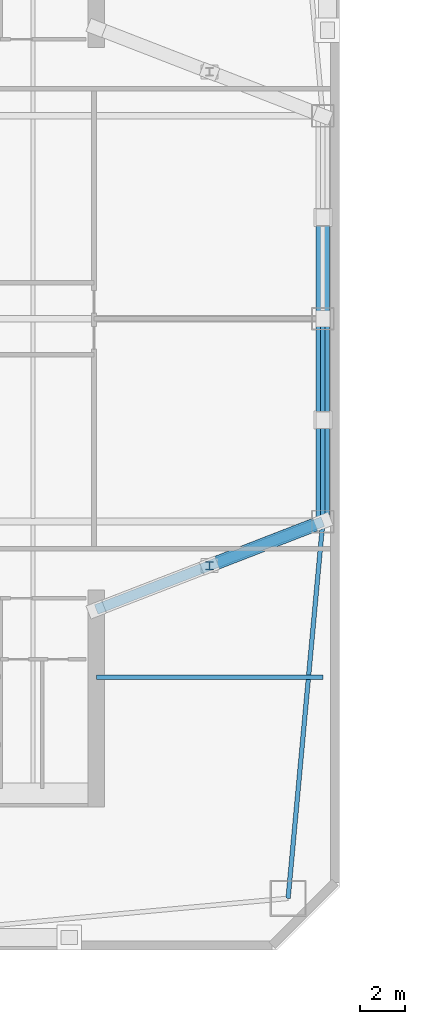
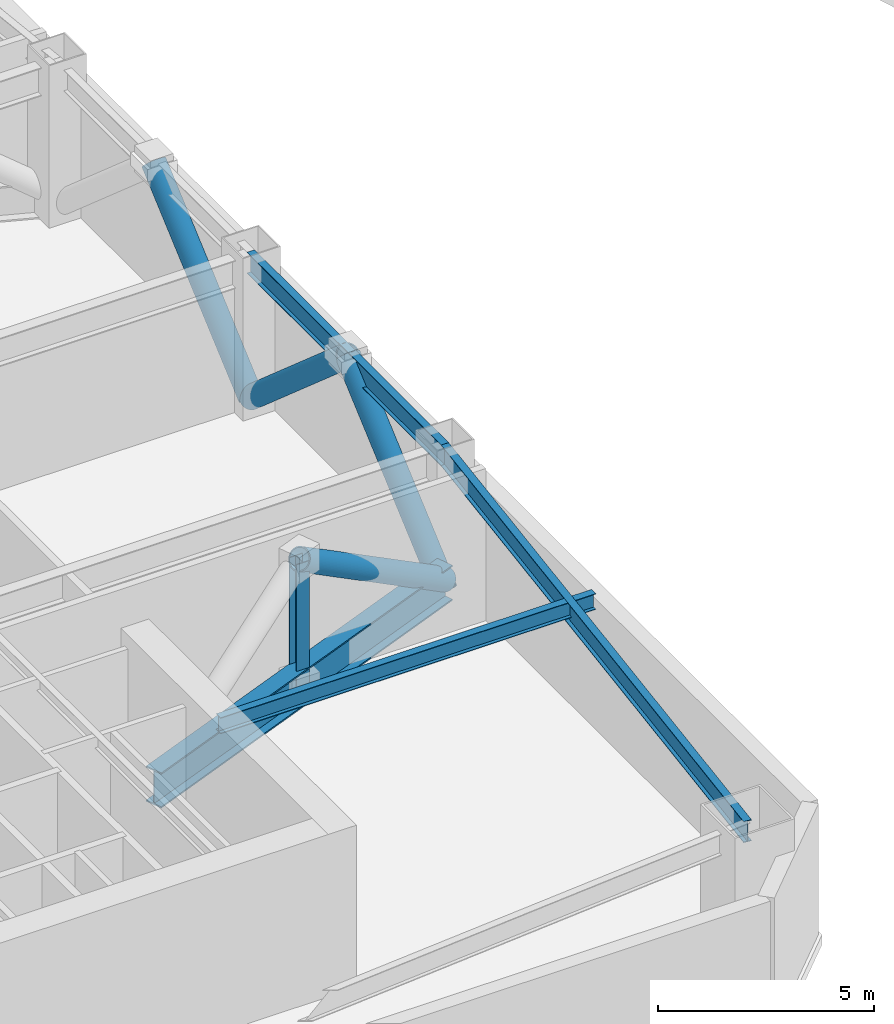
# One storey, part 3 of 19: 5 members, 4 beams.
"""IFC4 building model written with IfcOpenShell, lengths in metres."""

import ifcopenshell
import ifcopenshell.guid

model = None  # the IFC model being written
_history = None  # IfcOwnerHistory: only IFC2X3 demands one
_inside = {}  # id of a spatial element -> (the spatial element, [elements in it])
_under = {}  # id of a project, library or spatial element -> (it, [spatial elements below it])
_declared = {}  # id of a project -> (the project, [libraries it declares])
_typed = {}  # id of a type object -> (the type object, [elements of that type])
_made_of = {}  # id of a material, layer set ... -> (it, [elements and type objects made of it])


def new_model(schema):
    """Start an empty IFC model of exactly this schema.

    Asked for "IFC4X3", IfcOpenShell would pick the latest addendum, in which some entities
    have other attributes; the version numbers below select the first issue.
    IFC2X3 requires an IfcOwnerHistory on every rooted entity: one is made here for all.
    """
    global model, _history
    if schema == "IFC4X3":
        model = ifcopenshell.file(schema_version=(4, 3, 0, 0))
    else:
        model = ifcopenshell.file(schema=schema)
    _inside.clear()
    _under.clear()
    _declared.clear()
    _typed.clear()
    _made_of.clear()
    _history = None
    if model.schema == "IFC2X3":
        org = make("IfcOrganization", Name="unknown")
        user = make(
            "IfcPersonAndOrganization",
            ThePerson=make("IfcPerson", FamilyName="unknown"),
            TheOrganization=org,
        )
        app = make(
            "IfcApplication",
            ApplicationDeveloper=org,
            Version="unknown",
            ApplicationFullName="unknown",
            ApplicationIdentifier="unknown",
        )
        _history = make(
            "IfcOwnerHistory",
            OwningUser=user,
            OwningApplication=app,
            ChangeAction="ADDED",
            CreationDate=0,
        )
    return model


def make(cls, **values):
    """One entity of the class cls with the attributes given. An attribute that is None is left unset."""
    return model.create_entity(
        cls, **{name: value for name, value in values.items() if value is not None}
    )


def rooted(cls, **values):
    """An entity with a GlobalId (a new one), such as an element, a storey or a relation."""
    return make(cls, GlobalId=ifcopenshell.guid.new(), OwnerHistory=_history, **values)


def si_unit(unit_type, name, prefix=None):
    """IfcSIUnit, for example si_unit("LENGTHUNIT", "METRE", prefix="MILLI")."""
    return make("IfcSIUnit", UnitType=unit_type, Prefix=prefix, Name=name)


def assignment(units):
    """IfcUnitAssignment: the units of a project."""
    return None if units is None else make("IfcUnitAssignment", Units=units)


def point(xyz):
    """IfcCartesianPoint."""
    return None if xyz is None else make("IfcCartesianPoint", Coordinates=xyz)


def direction(xyz):
    """IfcDirection."""
    return None if xyz is None else make("IfcDirection", DirectionRatios=xyz)


def frame(location, z_axis=None, x_axis=None):
    """IfcAxis2Placement3D, a coordinate frame: its origin and axes. An axis left out is left unset."""
    return make(
        "IfcAxis2Placement3D",
        Location=point(location),
        Axis=direction(z_axis),
        RefDirection=direction(x_axis),
    )


def frame_2d(location, x_axis=None):
    """IfcAxis2Placement2D, a coordinate frame in the plane: its origin and x axis."""
    return make(
        "IfcAxis2Placement2D", Location=point(location), RefDirection=direction(x_axis)
    )


def origin():
    """The frame at (0, 0, 0) with its axes left unset."""
    return frame((0.0, 0.0, 0.0))


def origin_2d():
    """The frame at (0, 0) in the plane with its x axis left unset."""
    return frame_2d((0.0, 0.0))


def place(relative_to, where):
    """IfcLocalPlacement: puts the frame where relative to a parent placement (None: the world)."""
    return make(
        "IfcLocalPlacement", PlacementRelTo=relative_to, RelativePlacement=where
    )


def context(
    kind, dimensions, precision=None, world=None, true_north=None, identifier=None
):
    """IfcGeometricRepresentationContext, for example the 3D "Model" context."""
    return make(
        "IfcGeometricRepresentationContext",
        ContextIdentifier=identifier,
        ContextType=kind,
        CoordinateSpaceDimension=dimensions,
        Precision=precision,
        WorldCoordinateSystem=world,
        TrueNorth=true_north,
    )


def subcontext(parent, identifier, kind, view, scale=None):
    """IfcGeometricRepresentationSubContext, for example "Body" below "Model"."""
    return make(
        "IfcGeometricRepresentationSubContext",
        ContextIdentifier=identifier,
        ContextType=kind,
        ParentContext=parent,
        TargetScale=scale,
        TargetView=view,
    )


def project(units=None, contexts=None):
    """IfcProject with its units and contexts."""
    return rooted(
        "IfcProject",
        Name="project",
        RepresentationContexts=contexts,
        UnitsInContext=assignment(units),
    )


def spatial(cls, under=None, at=None, **own):
    """A site, building, storey or space (cls), placed at a placement, below another one or the project."""
    s = rooted(cls, ObjectPlacement=at, **own)
    if under is not None:
        _under.setdefault(under.id(), (under, []))[1].append(s)
    return s


def profile(cls, at=None, kind="AREA", **sizes):
    """A parametric profile (cls). Its sizes go by their IFC names, for example OverallWidth=200.0."""
    return make(cls, ProfileType=kind, Position=at, **sizes)


def hollow_circle(**sizes):
    """IfcCircleHollowProfileDef."""
    return profile("IfcCircleHollowProfileDef", **sizes)


def i_section(**sizes):
    """IfcIShapeProfileDef."""
    return profile("IfcIShapeProfileDef", **sizes)


def extrude(swept, where, along, depth):
    """IfcExtrudedAreaSolid: the profile swept, set in the frame where, extruded along a direction by depth."""
    return make(
        "IfcExtrudedAreaSolid",
        SweptArea=swept,
        Position=where,
        ExtrudedDirection=direction(along),
        Depth=depth,
    )


def shape(context_of_items, identifier, shape_type, items):
    """IfcShapeRepresentation: the items that make up one representation, for example the "Body"."""
    return make(
        "IfcShapeRepresentation",
        ContextOfItems=context_of_items,
        RepresentationIdentifier=identifier,
        RepresentationType=shape_type,
        Items=items,
    )


def material(Name=None, Category=None):
    """IfcMaterial."""
    return make("IfcMaterial", Name=Name, Category=Category)


def material_profile(
    of_material, cross_section, Name=None, Category=None, Priority=None
):
    """IfcMaterialProfile: a cross section and its material."""
    return make(
        "IfcMaterialProfile",
        Name=Name,
        Material=of_material,
        Profile=cross_section,
        Priority=Priority,
        Category=Category,
    )


def profile_set(profiles, Name=None, composite=None):
    """IfcMaterialProfileSet."""
    return make(
        "IfcMaterialProfileSet",
        Name=Name,
        MaterialProfiles=profiles,
        CompositeProfile=composite,
    )


def made_of(thing, what):
    """Note that an element or type object is made of a material, layer set ...; save() writes the relation."""
    if what is not None:
        _made_of.setdefault(what.id(), (what, []))[1].append(thing)
    return thing


def type_object(cls, material=None, **own):
    """A type object (cls), such as IfcWallType, which elements share."""
    return made_of(rooted(cls, **own), material)


def element(
    cls,
    number,
    at=None,
    inside=None,
    cuts=None,
    type_object=None,
    material=None,
    context=None,
    identifier="Body",
    shape_type=None,
    held_by="IfcProductDefinitionShape",
    body=None,
    shapes=None,
    **own,
):
    """One element of the class cls, such as IfcWall. Its Tag is "e" and its number.

    at: its placement. inside: the storey or other place that contains it. cuts: it is an
    opening in that element (IfcRelVoidsElement). A single representation is given by context,
    identifier, shape_type and body (its items); several are given by shapes. held_by: the class
    of the entity that holds the representations. save() writes the other relations.
    """
    e = rooted(cls, Tag="e%d" % number, ObjectPlacement=at, **own)
    if body is not None:
        shapes = [shape(context, identifier, shape_type, body)]
    if shapes is not None:
        e.Representation = make(held_by, Representations=shapes)
    if inside is not None:
        _inside.setdefault(inside.id(), (inside, []))[1].append(e)
    if cuts is not None:
        rooted(
            "IfcRelVoidsElement", RelatingBuildingElement=cuts, RelatedOpeningElement=e
        )
    if type_object is not None:
        _typed.setdefault(type_object.id(), (type_object, []))[1].append(e)
    return made_of(e, material)


def aggregate(whole, parts):
    """IfcRelAggregates: a whole, such as a stair, and the parts it consists of."""
    return rooted("IfcRelAggregates", RelatingObject=whole, RelatedObjects=parts)


def save(model, path):
    """Write the relations noted so far, then the file.

    IfcRelAggregates (storeys below a building ...), IfcRelContainedInSpatialStructure (elements
    in a storey), IfcRelDefinesByType, IfcRelAssociatesMaterial and IfcRelDeclares: one each for
    every whole, place, type object, material and project.
    """
    for whole, parts in _under.values():
        aggregate(whole, parts)
    for where, things in _inside.values():
        rooted(
            "IfcRelContainedInSpatialStructure",
            RelatedElements=things,
            RelatingStructure=where,
        )
    for kind, things in _typed.values():
        rooted("IfcRelDefinesByType", RelatedObjects=things, RelatingType=kind)
    for what, things in _made_of.values():
        rooted("IfcRelAssociatesMaterial", RelatedObjects=things, RelatingMaterial=what)
    for by, libraries in _declared.values():
        rooted("IfcRelDeclares", RelatingContext=by, RelatedDefinitions=libraries)
    model.write(path)


model = new_model("IFC4")

# Units and contexts
model_context = context("Model", 3, precision=1e-05, world=origin(), true_north=direction((0.0, 1.0)))
body_context = subcontext(model_context, "Body", "Model", "MODEL_VIEW")
ifc_project = project(units=[si_unit("LENGTHUNIT", "METRE"), si_unit("AREAUNIT", "SQUARE_METRE"), si_unit("VOLUMEUNIT", "CUBIC_METRE"), si_unit("PLANEANGLEUNIT", "RADIAN"), si_unit("MASSUNIT", "GRAM", prefix="KILO")], contexts=[model_context])

# Site, building, storey
site_placement = place(None, origin())
site = spatial("IfcSite", under=ifc_project, at=site_placement, CompositionType="ELEMENT")
building_placement = place(site_placement, origin())
building = spatial("IfcBuilding", under=site, at=building_placement, Name="Qiaolan Cultural Towers", CompositionType="ELEMENT")
storey_placement = place(building_placement, frame((0.0, 0.0, 92.0)))
storey = spatial("IfcBuildingStorey", under=building, at=storey_placement, Name="L23", CompositionType="ELEMENT", Elevation=92.0)

# Beams
ifc_material_1 = material(Name="Steel Q390GJB", Category="steel")
ifc_material_profile_1 = material_profile(ifc_material_1, i_section(OverallWidth=0.449951171875, OverallDepth=1.0, WebThickness=0.02392578125, FlangeThickness=0.0400390625, at=origin_2d()), Name="BH1000x450x24x40")
ifc_profile_set_1 = profile_set([ifc_material_profile_1], Name="Steel Q390GJB")
beam_type_1 = type_object("IfcBeamType", Name="BM-BH1000x450x24x40", PredefinedType="BEAM", material=ifc_profile_set_1)
beam_1_placement = place(storey_placement, frame((38.199951171875, 21.10009765625, 0.5), z_axis=(0.932269206067, 0.361765293276, 0.0), x_axis=(-0.361765293276, 0.932269206067, 0.0)))
element("IfcBeam", 1, at=beam_1_placement, inside=storey, type_object=beam_type_1, Name="L23 T1 Outrigger Bottom Chord Girder ES", PredefinedType="BEAM", context=body_context, shape_type="SweptSolid", body=[
    extrude(i_section(OverallWidth=0.449951171875, OverallDepth=1.0, WebThickness=0.02392578125, FlangeThickness=0.0400390625, at=origin_2d()), origin(), (0.0, 0.0, 1.0), 10.7802734375),
])
ifc_material_2 = material(Name="Steel Q355B", Category="steel")
ifc_material_profile_2 = material_profile(ifc_material_2, i_section(OverallWidth=0.199951171875, OverallDepth=0.449951171875, WebThickness=0.009033203125, FlangeThickness=0.013916015625, at=origin_2d()), Name="HN450x200x9x14")
ifc_profile_set_2 = profile_set([ifc_material_profile_2], Name="Steel Q355B")
beam_type_2 = type_object("IfcBeamType", Name="BM-LNT-HN450x200x9x14", PredefinedType="LINTEL", material=ifc_profile_set_2)
beam_2_placement = place(storey_placement, frame((38.199951171875, 18.10009765625, 4.114990234375), z_axis=(1.0, 0.0, 0.0), x_axis=(0.0, 1.0, 0.0)))
element("IfcBeam", 2, at=beam_2_placement, inside=storey, type_object=beam_type_2, Name="L23 T1 Core Flank Tie Lintel ES", PredefinedType="LINTEL", context=body_context, shape_type="SweptSolid", body=[
    extrude(i_section(OverallWidth=0.199951171875, OverallDepth=0.449951171875, WebThickness=0.009033203125, FlangeThickness=0.013916015625, at=origin_2d()), origin(), (0.0, 0.0, 1.0), 10.050048828125),
])
ifc_material_3 = material(Name="Steel Q355B", Category="steel")
ifc_material_profile_3 = material_profile(ifc_material_3, i_section(OverallWidth=0.199951171875, OverallDepth=0.60009765625, WebThickness=0.010986328125, FlangeThickness=0.01708984375, at=origin_2d()), Name="HN600x200x11x17")
ifc_profile_set_3 = profile_set([ifc_material_profile_3], Name="Steel Q355B")
beam_type_3 = type_object("IfcBeamType", Name="BM-SPD-HN600x200x11x17", PredefinedType="SPANDREL", material=ifc_profile_set_3)
beam_3_placement = place(storey_placement, frame((46.7099609375, 8.2900390625, 4.0400390625), z_axis=(0.09177399582, 0.995779862064, 0.0), x_axis=(-0.995779862064, 0.09177399582, 0.0)))
element("IfcBeam", 3, at=beam_3_placement, inside=storey, type_object=beam_type_3, Name="L23 T1 Perimeter Spandrel Beam 3", PredefinedType="SPANDREL", context=body_context, shape_type="SweptSolid", body=[
    extrude(i_section(OverallWidth=0.199951171875, OverallDepth=0.60009765625, WebThickness=0.010986328125, FlangeThickness=0.01708984375, at=origin_2d()), origin(), (0.0, 0.0, 1.0), 16.78076171875),
])
beam_4_placement = place(storey_placement, frame((48.25, 25.0, 4.0400390625), z_axis=(0.0, 1.0, 0.0), x_axis=(-1.0, 0.0, 0.0)))
element("IfcBeam", 4, at=beam_4_placement, inside=storey, type_object=beam_type_3, Name="L23 T1 Perimeter Spandrel Beam 4", PredefinedType="SPANDREL", context=body_context, shape_type="SweptSolid", body=[
    extrude(i_section(OverallWidth=0.199951171875, OverallDepth=0.60009765625, WebThickness=0.010986328125, FlangeThickness=0.01708984375, at=origin_2d()), origin(), (0.0, 0.0, 1.0), 9.0),
])

# Members
ifc_material_4 = material(Name="Steel Q355B", Category="steel")
ifc_material_profile_4 = material_profile(ifc_material_4, hollow_circle(Radius=0.300048828125, WallThickness=0.030029296875, at=origin_2d()), Name="CHS600x30")
ifc_profile_set_4 = profile_set([ifc_material_profile_4], Name="Steel Q355B")
member_type_1 = type_object("IfcMemberType", Name="MBR-BRC-CHS600x30", PredefinedType="BRACE", material=ifc_profile_set_4)
member_1_placement = place(storey_placement, frame((43.22509765625, 23.050048828125, 4.02001953125), z_axis=(0.78055714211, 0.302901073464, -0.546791996645), x_axis=(-0.361772931457, 0.932266242049, 0.0)))
element("IfcMember", 5, at=member_1_placement, inside=storey, type_object=member_type_1, Name="L23 T1 Outrigger Truss Diagonal ES-2", PredefinedType="BRACE", context=body_context, shape_type="SweptSolid", body=[
    extrude(hollow_circle(Radius=0.300048828125, WallThickness=0.030029296875, at=origin_2d()), origin(), (0.0, 0.0, 1.0), 6.4375),
])
for number, where, z_axis, x_axis, name in (
    (6, (48.25, 25.0, 0.199951171875), (0.0, 0.754014275447, 0.656858030645), (-1.0, 0.0, 0.0), "L23 T1 Perimeter Belt Truss E1-A"),
    (7, (48.25, 29.5, 4.1201171875), (0.0, 0.754014275447, -0.656858030645), (-1.0, 0.0, 0.0), "L23 T1 Perimeter Belt Truss E1-B"),
    (8, (48.25, 34.0, 0.199951171875), (0.0, 0.754014275447, 0.656858030645), (-1.0, 0.0, 0.0), "L23 T1 Perimeter Belt Truss E2-A"),
):
    element("IfcMember", number, at=place(storey_placement, frame(where, z_axis=z_axis, x_axis=x_axis)), inside=storey, type_object=member_type_1, Name=name, PredefinedType="BRACE", context=body_context, shape_type="SweptSolid", body=[
        extrude(hollow_circle(Radius=0.300048828125, WallThickness=0.030029296875, at=origin_2d()), origin(), (0.0, 0.0, 1.0), 5.968017578125),
    ])
ifc_material_5 = material(Name="Steel Q355B", Category="steel")
ifc_material_profile_5 = material_profile(ifc_material_5, i_section(OverallWidth=0.35009765625, OverallDepth=0.35009765625, WebThickness=0.011962890625, FlangeThickness=0.01904296875, at=origin_2d()), Name="HW350x350x12x19")
ifc_profile_set_5 = profile_set([ifc_material_profile_5], Name="Steel Q355B")
member_type_2 = type_object("IfcMemberType", Name="MBR-POST-HW350x350x12x19", PredefinedType="STUD", material=ifc_profile_set_5)
member_2_placement = place(storey_placement, frame((43.22509765625, 23.050048828125, 0.5), z_axis=(0.0, 0.0, 1.0), x_axis=(1.0, 0.0, 0.0)))
element("IfcMember", 9, at=member_2_placement, inside=storey, type_object=member_type_2, Name="L23 T1 Outrigger King Web ES", PredefinedType="STUD", context=body_context, shape_type="SweptSolid", body=[
    extrude(i_section(OverallWidth=0.35009765625, OverallDepth=0.35009765625, WebThickness=0.011962890625, FlangeThickness=0.01904296875, at=origin_2d()), origin(), (0.0, 0.0, 1.0), 3.52001953125),
])

save(model, "model.ifc")
